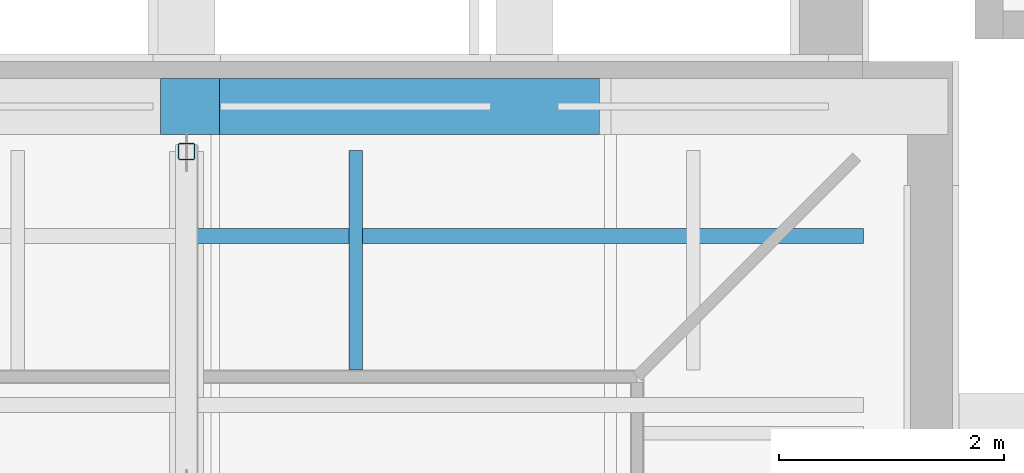
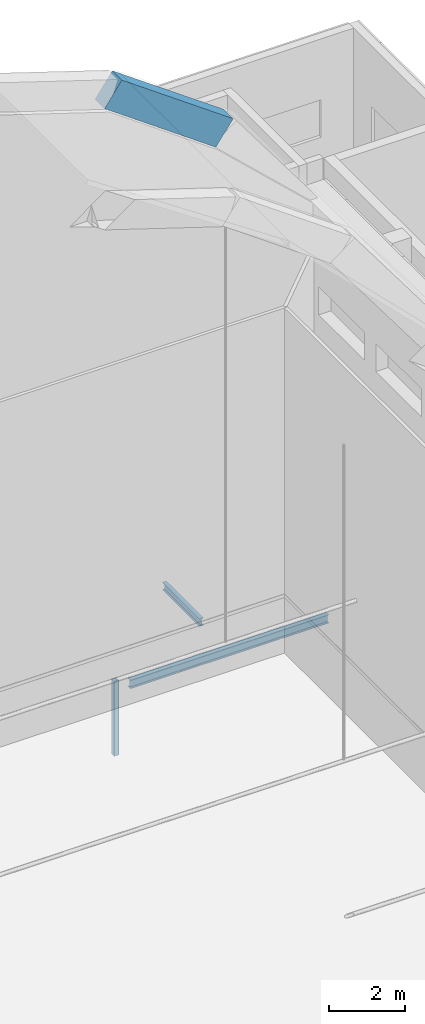
# One storey, part 37 of 55: 2 beams, 2 members.
"""IFC4 building model written with IfcOpenShell, lengths in metres."""

from ifc_helpers import new_model, si_unit, direction, frame, origin, origin_2d, place, context, subcontext, project, spatial, rectangle, hollow_rectangle, i_section, extrude, material, material_profile, profile_set, type_object, element, save


model = new_model("IFC4")

# Units and contexts
model_context = context("Model", 3, precision=1e-05, world=origin(), true_north=direction((0.0, 1.0)))
body_context = subcontext(model_context, "Body", "Model", "MODEL_VIEW")
ifc_project = project(units=[si_unit("LENGTHUNIT", "METRE"), si_unit("AREAUNIT", "SQUARE_METRE"), si_unit("VOLUMEUNIT", "CUBIC_METRE"), si_unit("PLANEANGLEUNIT", "RADIAN"), si_unit("MASSUNIT", "GRAM", prefix="KILO")], contexts=[model_context])

# Site, building, storey
site_placement = place(None, origin())
site = spatial("IfcSite", under=ifc_project, at=site_placement, CompositionType="ELEMENT")
building_placement = place(site_placement, origin())
building = spatial("IfcBuilding", under=site, at=building_placement, Name="Lunette Opera House", CompositionType="ELEMENT")
storey_placement = place(building_placement, frame((0.0, 0.0, 34.0)))
storey = spatial("IfcBuildingStorey", under=building, at=storey_placement, Name="L06", CompositionType="ELEMENT", Elevation=34.0)

# Beam
ifc_material_1 = material(Name="Concrete C40/50", Category="concrete")
ifc_material_profile_1 = material_profile(ifc_material_1, rectangle(XDim=0.5, YDim=0.89990234375, at=origin_2d()), Name="ARCH BEAM 500X900")
ifc_profile_set_1 = profile_set([ifc_material_profile_1], Name="Concrete C40/50")
beam_type_1 = type_object("IfcBeamType", Name="ARCH BEAM 500X900", PredefinedType="BEAM", material=ifc_profile_set_1)
beam_1_placement = place(storey_placement, frame((102.031005859375, 120.39990234375, 17.98193359375), z_axis=(0.81279485596, 0.0, -0.582550016844), x_axis=(0.0, 1.0, 0.0)))
element("IfcBeam", 1, at=beam_1_placement, inside=storey, type_object=beam_type_1, Name="beam-ST-L06-EAT5-6", PredefinedType="BEAM", context=body_context, shape_type="SweptSolid", body=[
    extrude(rectangle(XDim=0.5, YDim=0.89990234375, at=origin_2d()), origin(), (0.0, 0.0, 1.0), 4.15234375),
])

# Member
ifc_material_2 = material(Name="Steel S355", Category="steel")
ifc_material_profile_2 = material_profile(ifc_material_2, i_section(OverallWidth=0.1201171875, OverallDepth=0.239990234375, WebThickness=0.006103515625, FlangeThickness=0.009765625, FilletRadius=0.014892578125, at=origin_2d()), Name="IPE 240")
ifc_profile_set_2 = profile_set([ifc_material_profile_2], Name="Steel S355")
member_type_1 = type_object("IfcMemberType", Name="BRACKET IPE 240", PredefinedType="MEMBER", material=ifc_profile_set_2)
member_1_placement = place(storey_placement, frame((103.5, 120.010009765625, 1.820068359375), z_axis=(0.0, -1.0, 0.0), x_axis=(1.0, 0.0, 0.0)))
element("IfcMember", 2, at=member_1_placement, inside=storey, type_object=member_type_1, Name="mem-ST-L06-LOFT-BKN1035-1200", PredefinedType="MEMBER", context=body_context, shape_type="SweptSolid", body=[
    extrude(i_section(OverallWidth=0.1201171875, OverallDepth=0.239990234375, WebThickness=0.006103515625, FlangeThickness=0.009765625, FilletRadius=0.014892578125, at=origin_2d()), origin(), (0.0, 0.0, 1.0), 1.949951171875),
])

# Beam
ifc_material_3 = material(Name="Steel S355", Category="steel")
ifc_material_profile_3 = material_profile(ifc_material_3, i_section(OverallWidth=0.135009765625, OverallDepth=0.27001953125, WebThickness=0.006591796875, FlangeThickness=0.01025390625, FilletRadius=0.014892578125, at=origin_2d()), Name="IPE 270")
ifc_profile_set_3 = profile_set([ifc_material_profile_3], Name="Steel S355")
beam_type_2 = type_object("IfcBeamType", Name="STEEL BEAM IPE 270", PredefinedType="BEAM", material=ifc_profile_set_3)
beam_2_placement = place(storey_placement, frame((102.0, 119.25, -0.3349609375), z_axis=(1.0, 0.0, 0.0), x_axis=(0.0, 1.0, 0.0)))
element("IfcBeam", 3, at=beam_2_placement, inside=storey, type_object=beam_type_2, Name="beam-ST-L06-GRID-11925-4", PredefinedType="BEAM", context=body_context, shape_type="SweptSolid", body=[
    extrude(i_section(OverallWidth=0.135009765625, OverallDepth=0.27001953125, WebThickness=0.006591796875, FlangeThickness=0.01025390625, FilletRadius=0.014892578125, at=origin_2d()), origin(), (0.0, 0.0, 1.0), 6.010009765625),
])

# Member
ifc_material_4 = material(Name="Steel S355", Category="steel")
ifc_material_profile_4 = material_profile(ifc_material_4, hollow_rectangle(XDim=0.14990234375, YDim=0.14990234375, WallThickness=0.008056640625, InnerFilletRadius=0.008056640625, OuterFilletRadius=0.01611328125, at=origin_2d()), Name="RHS 150X150X8")
ifc_profile_set_4 = profile_set([ifc_material_profile_4], Name="Steel S355")
member_type_2 = type_object("IfcMemberType", Name="VERTICAL RHS 150X150X8", PredefinedType="POST", material=ifc_profile_set_4)
member_2_placement = place(storey_placement, frame((102.0, 120.0, -3.06494140625), z_axis=(0.0, 0.0, 1.0), x_axis=(1.0, 0.0, 0.0)))
element("IfcMember", 4, at=member_2_placement, inside=storey, type_object=member_type_2, Name="mem-ST-L06-ST-TR03-TV9", PredefinedType="POST", context=body_context, shape_type="SweptSolid", body=[
    extrude(hollow_rectangle(XDim=0.14990234375, YDim=0.14990234375, WallThickness=0.008056640625, InnerFilletRadius=0.008056640625, OuterFilletRadius=0.01611328125, at=origin_2d()), origin(), (0.0, 0.0, 1.0), 2.39990234375),
])

save(model, "model.ifc")
